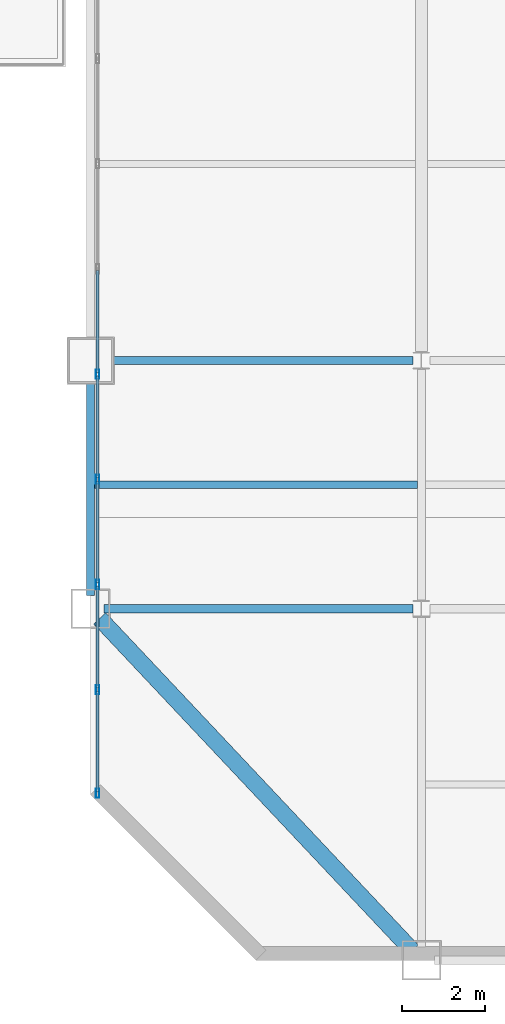
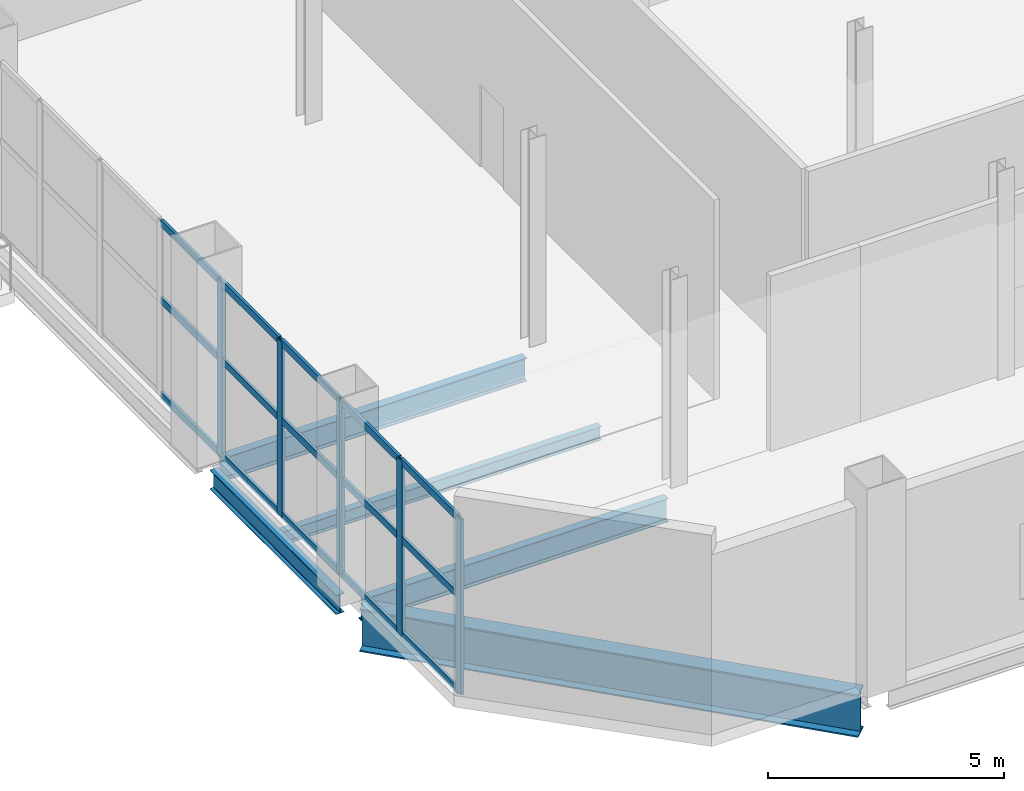
# One storey, part 5 of 22: 20 members, 5 beams, 1 element without a shape of its own.
"""IFC4 building model written with IfcOpenShell, lengths in metres."""

from ifc_helpers import new_model, si_unit, direction, frame, origin, origin_2d, place, context, subcontext, project, spatial, hollow_rectangle, i_section, extrude, material, layer, layer_set, material_profile, profile_set, type_object, element, aggregate, save


model = new_model("IFC4")

# Units and contexts
model_context = context("Model", 3, precision=1e-05, world=origin(), true_north=direction((0.0, 1.0)))
body_context = subcontext(model_context, "Body", "Model", "MODEL_VIEW")
ifc_project = project(units=[si_unit("LENGTHUNIT", "METRE"), si_unit("AREAUNIT", "SQUARE_METRE"), si_unit("VOLUMEUNIT", "CUBIC_METRE"), si_unit("PLANEANGLEUNIT", "RADIAN"), si_unit("MASSUNIT", "GRAM", prefix="KILO")], contexts=[model_context])

# Site, building, storey
site_placement = place(None, origin())
site = spatial("IfcSite", under=ifc_project, at=site_placement, CompositionType="ELEMENT")
building_placement = place(site_placement, origin())
building = spatial("IfcBuilding", under=site, at=building_placement, Name="Qianrong Seaharbour Tower", CompositionType="ELEMENT")
storey_placement = place(building_placement, frame((0.0, 0.0, 113.60009765625)))
storey = spatial("IfcBuildingStorey", under=building, at=storey_placement, Name="L27", CompositionType="ELEMENT", Elevation=113.60009765625)

# Beams
ifc_material_1 = material(Name="Structural steel SN490B", Category="steel")
ifc_material_profile_1 = material_profile(ifc_material_1, i_section(OverallWidth=0.199951171875, OverallDepth=0.60009765625, WebThickness=0.010986328125, FlangeThickness=0.01708984375, FilletRadius=0.02197265625, at=origin_2d()), Name="H600x200x11x17")
ifc_profile_set_1 = profile_set([ifc_material_profile_1], Name="Structural steel SN490B")
beam_type_1 = type_object("IfcBeamType", Name="BM-G-600", PredefinedType="BEAM", material=ifc_profile_set_1)
for number, where, z_axis, x_axis, name in (
    (1, (40.820068359375, 12.5, -0.60009765625), (1.0, 0.0, 0.0), (0.0, 1.0, 0.0), "L27 Primary Girder GC G6-G7"),
    (2, (40.820068359375, 18.5, -0.60009765625), (1.0, 0.0, 0.0), (0.0, 1.0, 0.0), "L27 Primary Girder GD G6-G7"),
):
    element("IfcBeam", number, at=place(storey_placement, frame(where, z_axis=z_axis, x_axis=x_axis)), inside=storey, type_object=beam_type_1, Name=name, PredefinedType="BEAM", context=body_context, shape_type="SweptSolid", body=[
        extrude(i_section(OverallWidth=0.199951171875, OverallDepth=0.60009765625, WebThickness=0.010986328125, FlangeThickness=0.01708984375, FilletRadius=0.02197265625, at=origin_2d()), origin(), (0.0, 0.0, 1.0), 7.476318359375),
    ])
ifc_material_2 = material(Name="Structural steel SN400B", Category="steel")
ifc_material_profile_2 = material_profile(ifc_material_2, i_section(OverallWidth=0.175048828125, OverallDepth=0.35009765625, WebThickness=0.007080078125, FlangeThickness=0.010986328125, FilletRadius=0.013916015625, at=origin_2d()), Name="H350x175x7x11")
ifc_profile_set_2 = profile_set([ifc_material_profile_2], Name="Structural steel SN400B")
beam_type_2 = type_object("IfcBeamType", Name="BM-J-350", PredefinedType="JOIST", material=ifc_profile_set_2)
beam_1_placement = place(storey_placement, frame((40.60009765625, 15.5, -0.47509765625), z_axis=(1.0, 0.0, 0.0), x_axis=(0.0, 1.0, 0.0)))
element("IfcBeam", 3, at=beam_1_placement, inside=storey, type_object=beam_type_2, Name="L27 Composite Floor Joist G6-G7/GC-GD", PredefinedType="JOIST", context=body_context, shape_type="SweptSolid", body=[
    extrude(i_section(OverallWidth=0.175048828125, OverallDepth=0.35009765625, WebThickness=0.007080078125, FlangeThickness=0.010986328125, FilletRadius=0.013916015625, at=origin_2d()), origin(), (0.0, 0.0, 1.0), 7.7998046875),
])
ifc_material_profile_3 = material_profile(ifc_material_1, i_section(OverallWidth=0.199951171875, OverallDepth=0.5, WebThickness=0.010009765625, FlangeThickness=0.01611328125, FilletRadius=0.02001953125, at=origin_2d()), Name="H500x200x10x16")
ifc_profile_set_3 = profile_set([ifc_material_profile_3], Name="Structural steel SN490B")
beam_type_3 = type_object("IfcBeamType", Name="BM-SP-500", PredefinedType="SPANDREL", material=ifc_profile_set_3)
beam_2_placement = place(storey_placement, frame((40.5, 12.820068359375, -0.550048828125), z_axis=(0.0, 1.0, 0.0), x_axis=(-1.0, 0.0, 0.0)))
element("IfcBeam", 4, at=beam_2_placement, inside=storey, type_object=beam_type_3, Name="L27 Spandrel Girder G6 GC-GD", PredefinedType="SPANDREL", context=body_context, shape_type="SweptSolid", body=[
    extrude(i_section(OverallWidth=0.199951171875, OverallDepth=0.5, WebThickness=0.010009765625, FlangeThickness=0.01611328125, FilletRadius=0.02001953125, at=origin_2d()), origin(), (0.0, 0.0, 1.0), 5.35986328125),
])
ifc_material_profile_4 = material_profile(ifc_material_1, i_section(OverallWidth=0.39990234375, OverallDepth=1.10009765625, WebThickness=0.02001953125, FlangeThickness=0.035888671875, at=origin_2d()), Name="BH1100x400x20x36")
ifc_profile_set_4 = profile_set([ifc_material_profile_4], Name="Structural steel SN490B")
beam_type_4 = type_object("IfcBeamType", Name="BM-TG-1100", PredefinedType="BEAM", material=ifc_profile_set_4)
beam_3_placement = place(storey_placement, frame((48.28076171875, 4.23291015625, -0.85009765625), z_axis=(-0.685361938021, 0.728202591256, 0.0), x_axis=(-0.728202591256, -0.685361938021, 0.0)))
element("IfcBeam", 5, at=beam_3_placement, inside=storey, type_object=beam_type_4, Name="L27 Chamfer Corner Spandrel Girder G6/GB", PredefinedType="BEAM", context=body_context, shape_type="SweptSolid", body=[
    extrude(i_section(OverallWidth=0.39990234375, OverallDepth=1.10009765625, WebThickness=0.02001953125, FlangeThickness=0.035888671875, at=origin_2d()), origin(), (0.0, 0.0, 1.0), 11.032958984375),
])

# Curtain wall, members
ifc_material_3 = material(Name="Anodised aluminium 6063-T6 and laminated low-e glass", Category="aluminium")
ifc_layer = layer(ifc_material_3, 0.2099609375)
ifc_layer_set = layer_set([ifc_layer], Name="Anodised aluminium 6063-T6 and laminated low-e glass")
curtain_wall_type = type_object("IfcCurtainWallType", Name="CW-SYS-2", PredefinedType="NOTDEFINED", material=ifc_layer_set)
curtain_wall_placement = place(storey_placement, origin())
curtain_wall = element("IfcCurtainWall", 6, at=curtain_wall_placement, inside=storey, type_object=curtain_wall_type, Name="L27 Sky-Lobby Feature Curtain Wall REENTRANT_WEST", PredefinedType="NOTDEFINED")
ifc_material_4 = material(Name="Extruded aluminium 6063-T6", Category="aluminium")
ifc_material_profile_5 = material_profile(ifc_material_4, hollow_rectangle(XDim=0.080078125, YDim=0.219970703125, WallThickness=0.0048828125, at=origin_2d()), Name="ALU-MUL-220x80x5")
ifc_profile_set_5 = profile_set([ifc_material_profile_5], Name="Extruded aluminium 6063-T6")
member_type_1 = type_object("IfcMemberType", Name="CW-MUL-220", PredefinedType="MULLION", material=ifc_profile_set_5)
member_1_placement = place(storey_placement, frame((40.669921875, 8.0400390625, 0.0), z_axis=(0.0, 0.0, 1.0), x_axis=(-1.0, 0.0, 0.0)))
member_1 = element("IfcMember", 7, at=member_1_placement, type_object=member_type_1, Name="CW-2 mullion 1", PredefinedType="MULLION", context=body_context, shape_type="SweptSolid", body=[
    extrude(hollow_rectangle(XDim=0.080078125, YDim=0.219970703125, WallThickness=0.0048828125, at=origin_2d()), origin(), (0.0, 0.0, 1.0), 4.52490234375),
])
member_2_placement = place(storey_placement, frame((40.669921875, 10.54248046875, 0.0), z_axis=(0.0, 0.0, 1.0), x_axis=(-1.0, 0.0, 0.0)))
member_2 = element("IfcMember", 8, at=member_2_placement, type_object=member_type_1, Name="CW-2 mullion 2", PredefinedType="MULLION", context=body_context, shape_type="SweptSolid", body=[
    extrude(hollow_rectangle(XDim=0.080078125, YDim=0.219970703125, WallThickness=0.0048828125, at=origin_2d()), origin(), (0.0, 0.0, 1.0), 4.52490234375),
])
member_3_placement = place(storey_placement, frame((40.669921875, 13.0849609375, 0.0), z_axis=(0.0, 0.0, 1.0), x_axis=(-1.0, 0.0, 0.0)))
member_3 = element("IfcMember", 9, at=member_3_placement, type_object=member_type_1, Name="CW-2 mullion 3", PredefinedType="MULLION", context=body_context, shape_type="SweptSolid", body=[
    extrude(hollow_rectangle(XDim=0.080078125, YDim=0.219970703125, WallThickness=0.0048828125, at=origin_2d()), origin(), (0.0, 0.0, 1.0), 4.52490234375),
])
member_4_placement = place(storey_placement, frame((40.669921875, 15.62744140625, 0.0), z_axis=(0.0, 0.0, 1.0), x_axis=(-1.0, 0.0, 0.0)))
member_4 = element("IfcMember", 10, at=member_4_placement, type_object=member_type_1, Name="CW-2 mullion 4", PredefinedType="MULLION", context=body_context, shape_type="SweptSolid", body=[
    extrude(hollow_rectangle(XDim=0.080078125, YDim=0.219970703125, WallThickness=0.0048828125, at=origin_2d()), origin(), (0.0, 0.0, 1.0), 4.52490234375),
])
member_5_placement = place(storey_placement, frame((40.669921875, 18.169921875, 0.0), z_axis=(0.0, 0.0, 1.0), x_axis=(-1.0, 0.0, 0.0)))
member_5 = element("IfcMember", 11, at=member_5_placement, type_object=member_type_1, Name="CW-2 mullion 5", PredefinedType="MULLION", context=body_context, shape_type="SweptSolid", body=[
    extrude(hollow_rectangle(XDim=0.080078125, YDim=0.219970703125, WallThickness=0.0048828125, at=origin_2d()), origin(), (0.0, 0.0, 1.0), 4.52490234375),
])
ifc_material_profile_6 = material_profile(ifc_material_4, hollow_rectangle(XDim=0.070068359375, YDim=0.179931640625, WallThickness=0.00390625, at=origin_2d()), Name="ALU-TRN-180x70x4")
ifc_profile_set_6 = profile_set([ifc_material_profile_6], Name="Extruded aluminium 6063-T6")
member_type_2 = type_object("IfcMemberType", Name="CW-TRN-180", PredefinedType="USERDEFINED", material=ifc_profile_set_6)
member_6_placement = place(storey_placement, frame((40.669921875, 8.080078125, 0.034912109375), z_axis=(0.0, 1.0, 0.0), x_axis=(-1.0, 0.0, 0.0)))
member_6 = element("IfcMember", 12, at=member_6_placement, type_object=member_type_2, Name="CW-2 transom 1.1", ObjectType="TRANSOM", PredefinedType="USERDEFINED", context=body_context, shape_type="SweptSolid", body=[
    extrude(hollow_rectangle(XDim=0.070068359375, YDim=0.179931640625, WallThickness=0.00390625, at=origin_2d()), origin(), (0.0, 0.0, 1.0), 2.42236328125),
])
member_7_placement = place(storey_placement, frame((40.669921875, 8.080078125, 2.48876953125), z_axis=(0.0, 1.0, 0.0), x_axis=(-1.0, 0.0, 0.0)))
member_7 = element("IfcMember", 13, at=member_7_placement, type_object=member_type_2, Name="CW-2 transom 1.2", ObjectType="TRANSOM", PredefinedType="USERDEFINED", context=body_context, shape_type="SweptSolid", body=[
    extrude(hollow_rectangle(XDim=0.070068359375, YDim=0.179931640625, WallThickness=0.00390625, at=origin_2d()), origin(), (0.0, 0.0, 1.0), 2.42236328125),
])
member_8_placement = place(storey_placement, frame((40.669921875, 8.080078125, 4.489990234375), z_axis=(0.0, 1.0, 0.0), x_axis=(-1.0, 0.0, 0.0)))
member_8 = element("IfcMember", 14, at=member_8_placement, type_object=member_type_2, Name="CW-2 transom 1.3", ObjectType="TRANSOM", PredefinedType="USERDEFINED", context=body_context, shape_type="SweptSolid", body=[
    extrude(hollow_rectangle(XDim=0.070068359375, YDim=0.179931640625, WallThickness=0.00390625, at=origin_2d()), origin(), (0.0, 0.0, 1.0), 2.42236328125),
])
member_9_placement = place(storey_placement, frame((40.669921875, 10.58251953125, 0.034912109375), z_axis=(0.0, 1.0, 0.0), x_axis=(-1.0, 0.0, 0.0)))
member_9 = element("IfcMember", 15, at=member_9_placement, type_object=member_type_2, Name="CW-2 transom 2.1", ObjectType="TRANSOM", PredefinedType="USERDEFINED", context=body_context, shape_type="SweptSolid", body=[
    extrude(hollow_rectangle(XDim=0.070068359375, YDim=0.179931640625, WallThickness=0.00390625, at=origin_2d()), origin(), (0.0, 0.0, 1.0), 2.46240234375),
])
member_10_placement = place(storey_placement, frame((40.669921875, 10.58251953125, 2.48876953125), z_axis=(0.0, 1.0, 0.0), x_axis=(-1.0, 0.0, 0.0)))
member_10 = element("IfcMember", 16, at=member_10_placement, type_object=member_type_2, Name="CW-2 transom 2.2", ObjectType="TRANSOM", PredefinedType="USERDEFINED", context=body_context, shape_type="SweptSolid", body=[
    extrude(hollow_rectangle(XDim=0.070068359375, YDim=0.179931640625, WallThickness=0.00390625, at=origin_2d()), origin(), (0.0, 0.0, 1.0), 2.46240234375),
])
member_11_placement = place(storey_placement, frame((40.669921875, 10.58251953125, 4.489990234375), z_axis=(0.0, 1.0, 0.0), x_axis=(-1.0, 0.0, 0.0)))
member_11 = element("IfcMember", 17, at=member_11_placement, type_object=member_type_2, Name="CW-2 transom 2.3", ObjectType="TRANSOM", PredefinedType="USERDEFINED", context=body_context, shape_type="SweptSolid", body=[
    extrude(hollow_rectangle(XDim=0.070068359375, YDim=0.179931640625, WallThickness=0.00390625, at=origin_2d()), origin(), (0.0, 0.0, 1.0), 2.46240234375),
])
member_12_placement = place(storey_placement, frame((40.669921875, 13.125, 0.034912109375), z_axis=(0.0, 1.0, 0.0), x_axis=(-1.0, 0.0, 0.0)))
member_12 = element("IfcMember", 18, at=member_12_placement, type_object=member_type_2, Name="CW-2 transom 3.1", ObjectType="TRANSOM", PredefinedType="USERDEFINED", context=body_context, shape_type="SweptSolid", body=[
    extrude(hollow_rectangle(XDim=0.070068359375, YDim=0.179931640625, WallThickness=0.00390625, at=origin_2d()), origin(), (0.0, 0.0, 1.0), 2.46240234375),
])
member_13_placement = place(storey_placement, frame((40.669921875, 13.125, 2.48876953125), z_axis=(0.0, 1.0, 0.0), x_axis=(-1.0, 0.0, 0.0)))
member_13 = element("IfcMember", 19, at=member_13_placement, type_object=member_type_2, Name="CW-2 transom 3.2", ObjectType="TRANSOM", PredefinedType="USERDEFINED", context=body_context, shape_type="SweptSolid", body=[
    extrude(hollow_rectangle(XDim=0.070068359375, YDim=0.179931640625, WallThickness=0.00390625, at=origin_2d()), origin(), (0.0, 0.0, 1.0), 2.46240234375),
])
member_14_placement = place(storey_placement, frame((40.669921875, 13.125, 4.489990234375), z_axis=(0.0, 1.0, 0.0), x_axis=(-1.0, 0.0, 0.0)))
member_14 = element("IfcMember", 20, at=member_14_placement, type_object=member_type_2, Name="CW-2 transom 3.3", ObjectType="TRANSOM", PredefinedType="USERDEFINED", context=body_context, shape_type="SweptSolid", body=[
    extrude(hollow_rectangle(XDim=0.070068359375, YDim=0.179931640625, WallThickness=0.00390625, at=origin_2d()), origin(), (0.0, 0.0, 1.0), 2.46240234375),
])
member_15_placement = place(storey_placement, frame((40.669921875, 15.66748046875, 0.034912109375), z_axis=(0.0, 1.0, 0.0), x_axis=(-1.0, 0.0, 0.0)))
member_15 = element("IfcMember", 21, at=member_15_placement, type_object=member_type_2, Name="CW-2 transom 4.1", ObjectType="TRANSOM", PredefinedType="USERDEFINED", context=body_context, shape_type="SweptSolid", body=[
    extrude(hollow_rectangle(XDim=0.070068359375, YDim=0.179931640625, WallThickness=0.00390625, at=origin_2d()), origin(), (0.0, 0.0, 1.0), 2.46240234375),
])
member_16_placement = place(storey_placement, frame((40.669921875, 15.66748046875, 2.48876953125), z_axis=(0.0, 1.0, 0.0), x_axis=(-1.0, 0.0, 0.0)))
member_16 = element("IfcMember", 22, at=member_16_placement, type_object=member_type_2, Name="CW-2 transom 4.2", ObjectType="TRANSOM", PredefinedType="USERDEFINED", context=body_context, shape_type="SweptSolid", body=[
    extrude(hollow_rectangle(XDim=0.070068359375, YDim=0.179931640625, WallThickness=0.00390625, at=origin_2d()), origin(), (0.0, 0.0, 1.0), 2.46240234375),
])
member_17_placement = place(storey_placement, frame((40.669921875, 15.66748046875, 4.489990234375), z_axis=(0.0, 1.0, 0.0), x_axis=(-1.0, 0.0, 0.0)))
member_17 = element("IfcMember", 23, at=member_17_placement, type_object=member_type_2, Name="CW-2 transom 4.3", ObjectType="TRANSOM", PredefinedType="USERDEFINED", context=body_context, shape_type="SweptSolid", body=[
    extrude(hollow_rectangle(XDim=0.070068359375, YDim=0.179931640625, WallThickness=0.00390625, at=origin_2d()), origin(), (0.0, 0.0, 1.0), 2.46240234375),
])
member_18_placement = place(storey_placement, frame((40.669921875, 18.2099609375, 0.034912109375), z_axis=(0.0, 1.0, 0.0), x_axis=(-1.0, 0.0, 0.0)))
member_18 = element("IfcMember", 24, at=member_18_placement, type_object=member_type_2, Name="CW-2 transom 5.1", ObjectType="TRANSOM", PredefinedType="USERDEFINED", context=body_context, shape_type="SweptSolid", body=[
    extrude(hollow_rectangle(XDim=0.070068359375, YDim=0.179931640625, WallThickness=0.00390625, at=origin_2d()), origin(), (0.0, 0.0, 1.0), 2.462646484375),
])
member_19_placement = place(storey_placement, frame((40.669921875, 18.2099609375, 2.48876953125), z_axis=(0.0, 1.0, 0.0), x_axis=(-1.0, 0.0, 0.0)))
member_19 = element("IfcMember", 25, at=member_19_placement, type_object=member_type_2, Name="CW-2 transom 5.2", ObjectType="TRANSOM", PredefinedType="USERDEFINED", context=body_context, shape_type="SweptSolid", body=[
    extrude(hollow_rectangle(XDim=0.070068359375, YDim=0.179931640625, WallThickness=0.00390625, at=origin_2d()), origin(), (0.0, 0.0, 1.0), 2.462646484375),
])
member_20_placement = place(storey_placement, frame((40.669921875, 18.2099609375, 4.489990234375), z_axis=(0.0, 1.0, 0.0), x_axis=(-1.0, 0.0, 0.0)))
member_20 = element("IfcMember", 26, at=member_20_placement, type_object=member_type_2, Name="CW-2 transom 5.3", ObjectType="TRANSOM", PredefinedType="USERDEFINED", context=body_context, shape_type="SweptSolid", body=[
    extrude(hollow_rectangle(XDim=0.070068359375, YDim=0.179931640625, WallThickness=0.00390625, at=origin_2d()), origin(), (0.0, 0.0, 1.0), 2.462646484375),
])
aggregate(curtain_wall, [member_1, member_2, member_3, member_4, member_5, member_6, member_7, member_8, member_9, member_10, member_11, member_12, member_13, member_14, member_15, member_16, member_17, member_18, member_19, member_20])

save(model, "model.ifc")
